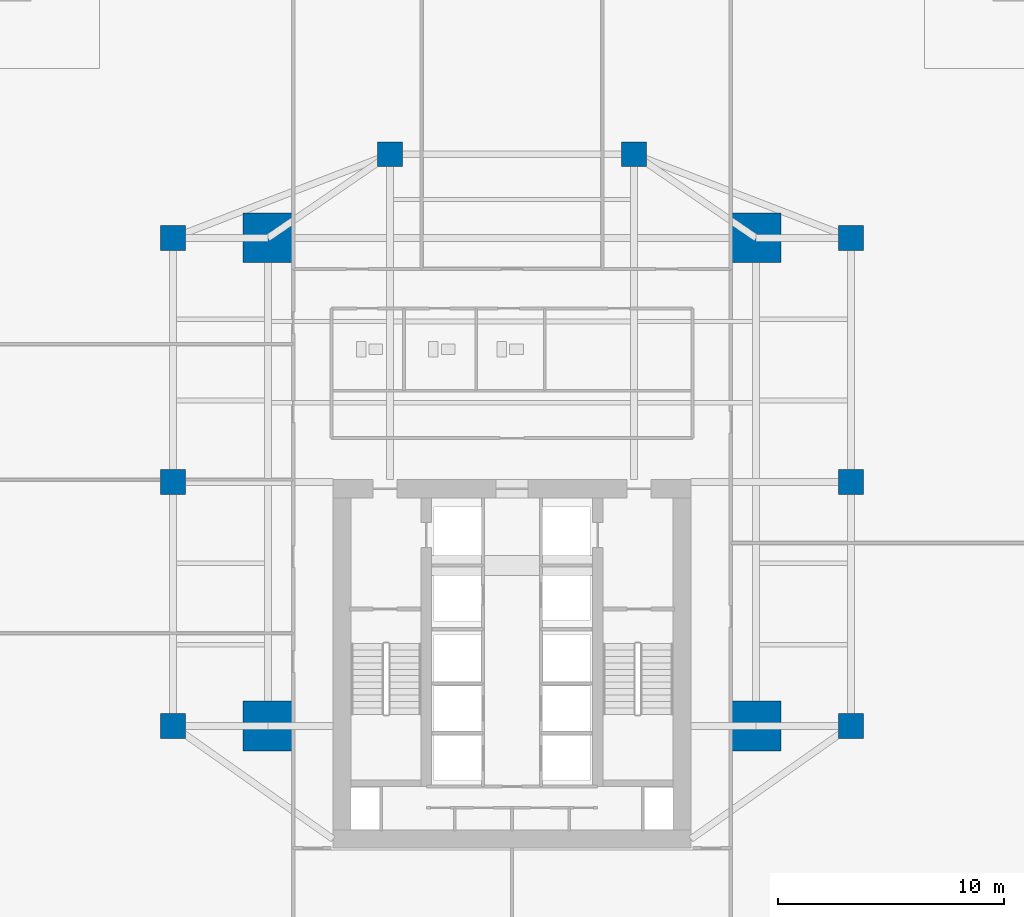
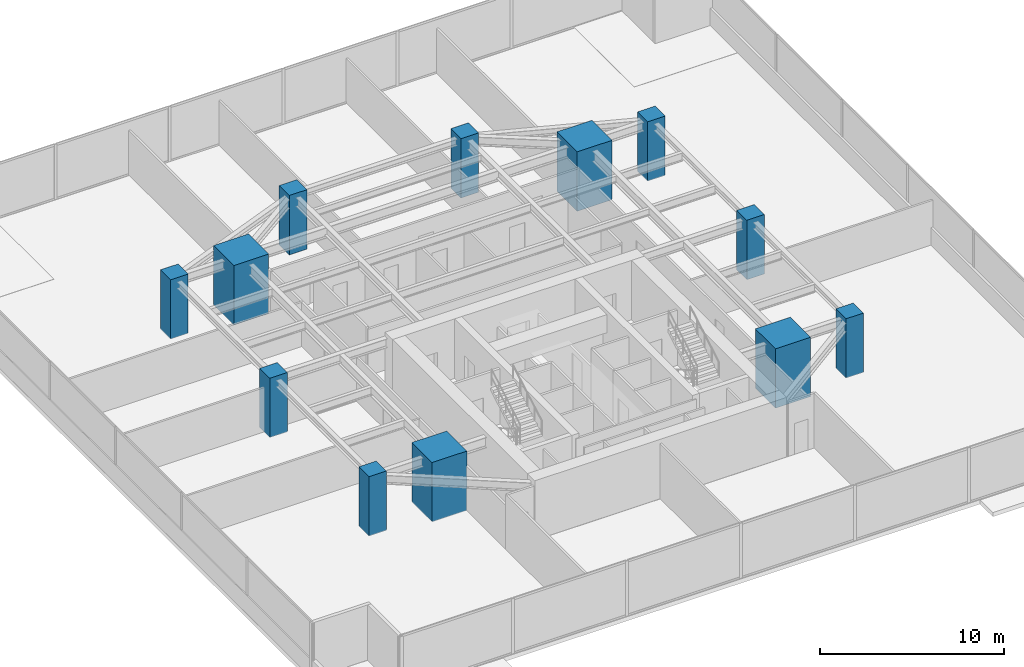
# One storey, part 1 of 30: 12 columns.
"""IFC4 building model written with IfcOpenShell, lengths in metres."""

from ifc_helpers import new_model, si_unit, direction, frame, origin, origin_2d, place, context, subcontext, project, spatial, rectangle, extrude, source, transform, mapped, material, material_profile, profile_set, type_object, type_shapes, element, save


model = new_model("IFC4")

# Units and contexts
model_context = context("Model", 3, precision=1e-05, world=origin(), true_north=direction((0.0, 1.0)))
body_context = subcontext(model_context, "Body", "Model", "MODEL_VIEW")
ifc_project = project(units=[si_unit("LENGTHUNIT", "METRE"), si_unit("AREAUNIT", "SQUARE_METRE"), si_unit("VOLUMEUNIT", "CUBIC_METRE"), si_unit("PLANEANGLEUNIT", "RADIAN"), si_unit("MASSUNIT", "GRAM", prefix="KILO")], contexts=[model_context])

# Site, building, storey
site_placement = place(None, origin())
site = spatial("IfcSite", under=ifc_project, at=site_placement, CompositionType="ELEMENT")
building_placement = place(site_placement, origin())
building = spatial("IfcBuilding", under=site, at=building_placement, Name="Krantzveldt Concourse Tower", CompositionType="ELEMENT")
storey_placement = place(building_placement, frame((0.0, 0.0, 25.0)))
storey = spatial("IfcBuildingStorey", under=building, at=storey_placement, Name="L05", CompositionType="ELEMENT", Elevation=25.0)

# Columns
ifc_material = material(Name="Concrete C60/75", Category="concrete")
ifc_material_profile_1 = material_profile(ifc_material, rectangle(XDim=2.199951171875, YDim=2.199951171875, at=origin_2d()), Name="Concrete C60/75", Category="concrete")
ifc_profile_set_1 = profile_set([ifc_material_profile_1], Name="Concrete C60/75 - RC 2200x2200")
column_type_1 = type_object("IfcColumnType", Name="COL-MC-2200", PredefinedType="USERDEFINED", material=ifc_profile_set_1)
shared_shape_1 = source(origin(), body_context, "Body", "SweptSolid", [
    extrude(rectangle(XDim=2.199951171875, YDim=2.199951171875, at=origin_2d()), origin(), (0.0, 0.0, 1.0), 3.949951171875),
])
type_shapes(column_type_1, [shared_shape_1])
for number, where, z_axis, x_axis, name in (
    (1, (25.199951171875, 15.89990234375, 0.0), (0.0, 0.0, 1.0), (1.0, 0.0, 0.0), "MC-SW-L05"),
    (2, (46.800048828125, 15.89990234375, 0.0), (0.0, 0.0, 1.0), (1.0, 0.0, 0.0), "MC-SE-L05"),
    (3, (46.800048828125, 37.5, 0.0), (0.0, 0.0, 1.0), (1.0, 0.0, 0.0), "MC-NE-L05"),
    (4, (25.199951171875, 37.5, 0.0), (0.0, 0.0, 1.0), (1.0, 0.0, 0.0), "MC-NW-L05"),
):
    element("IfcColumn", number, at=place(storey_placement, frame(where, z_axis=z_axis, x_axis=x_axis)), inside=storey, type_object=column_type_1, Name=name, ObjectType="MEGA COLUMN", PredefinedType="USERDEFINED", context=body_context, shape_type="MappedRepresentation", body=[
        mapped(shared_shape_1, transform((0.0, 0.0, 0.0), x_axis=(1.0, 0.0, 0.0), y_axis=(0.0, 1.0, 0.0), z_axis=(0.0, 0.0, 1.0), scale=1.0)),
    ])
ifc_material_profile_2 = material_profile(ifc_material, rectangle(XDim=1.10009765625, YDim=1.10009765625, at=origin_2d()), Name="Concrete C60/75", Category="concrete")
ifc_profile_set_2 = profile_set([ifc_material_profile_2], Name="Concrete C60/75 - RC 1100x1100")
column_type_2 = type_object("IfcColumnType", Name="COL-C-Z1", PredefinedType="COLUMN", material=ifc_profile_set_2)
shared_shape_2 = source(origin(), body_context, "Body", "SweptSolid", [
    extrude(rectangle(XDim=1.10009765625, YDim=1.10009765625, at=origin_2d()), origin(), (0.0, 0.0, 1.0), 3.949951171875),
])
type_shapes(column_type_2, [shared_shape_2])
for number, where, z_axis, x_axis, name in (
    (5, (21.0, 15.89990234375, 0.0), (0.0, 0.0, 1.0), (1.0, 0.0, 0.0), "PC-R01-L05"),
    (6, (21.0, 26.699951171875, 0.0), (0.0, 0.0, 1.0), (1.0, 0.0, 0.0), "PC-R02-L05"),
    (7, (21.0, 37.5, 0.0), (0.0, 0.0, 1.0), (1.0, 0.0, 0.0), "PC-R03-L05"),
    (8, (30.60009765625, 41.199951171875, 0.0), (0.0, 0.0, 1.0), (1.0, 0.0, 0.0), "PC-R04-L05"),
    (9, (41.39990234375, 41.199951171875, 0.0), (0.0, 0.0, 1.0), (1.0, 0.0, 0.0), "PC-R05-L05"),
    (10, (51.0, 37.5, 0.0), (0.0, 0.0, 1.0), (1.0, 0.0, 0.0), "PC-R06-L05"),
    (11, (51.0, 26.699951171875, 0.0), (0.0, 0.0, 1.0), (1.0, 0.0, 0.0), "PC-R07-L05"),
    (12, (51.0, 15.89990234375, 0.0), (0.0, 0.0, 1.0), (1.0, 0.0, 0.0), "PC-R08-L05"),
):
    element("IfcColumn", number, at=place(storey_placement, frame(where, z_axis=z_axis, x_axis=x_axis)), inside=storey, type_object=column_type_2, Name=name, PredefinedType="COLUMN", context=body_context, shape_type="MappedRepresentation", body=[
        mapped(shared_shape_2, transform((0.0, 0.0, 0.0), x_axis=(1.0, 0.0, 0.0), y_axis=(0.0, 1.0, 0.0), z_axis=(0.0, 0.0, 1.0), scale=1.0)),
    ])

save(model, "model.ifc")
